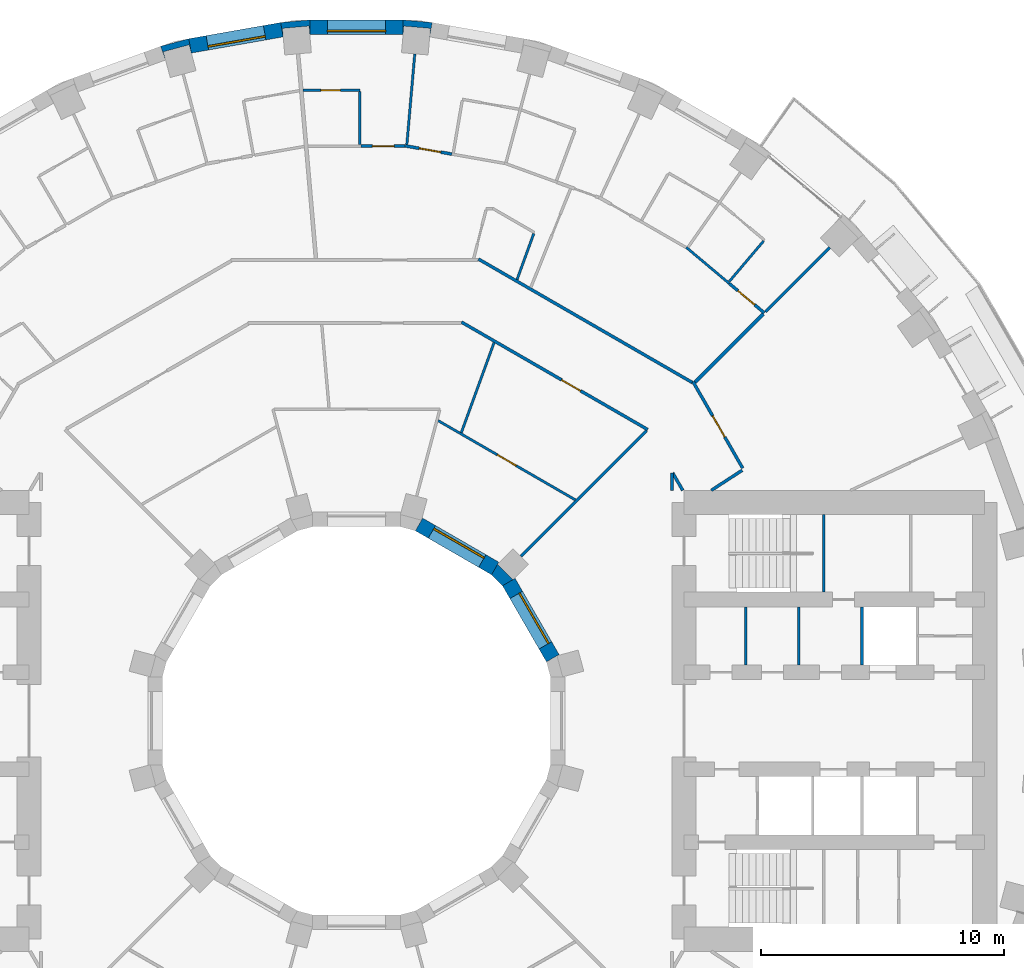
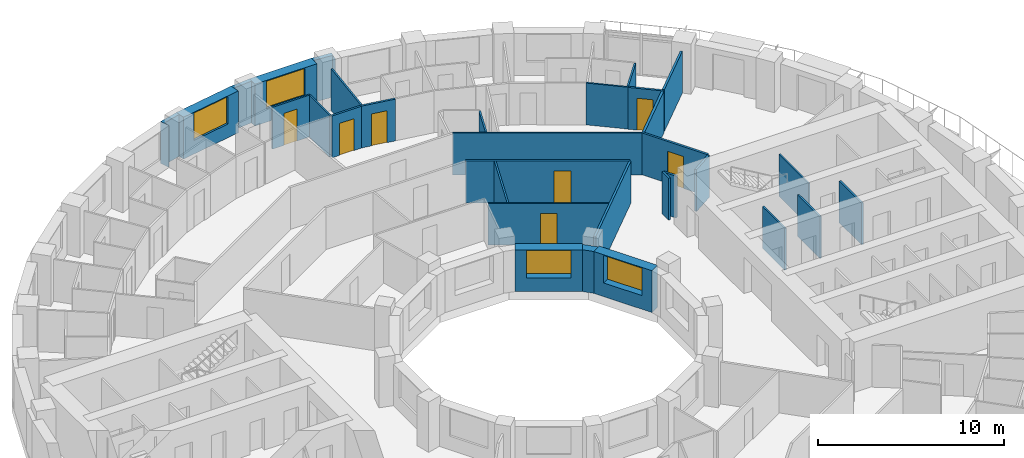
# One storey, part 12 of 15: 32 walls, 7 doors, 4 windows, 11 openings.
"""IFC4 building model written with IfcOpenShell, lengths in metres."""

import ifcopenshell
import ifcopenshell.guid

model = None  # the IFC model being written
_history = None  # IfcOwnerHistory: only IFC2X3 demands one
_inside = {}  # id of a spatial element -> (the spatial element, [elements in it])
_under = {}  # id of a project, library or spatial element -> (it, [spatial elements below it])
_declared = {}  # id of a project -> (the project, [libraries it declares])
_typed = {}  # id of a type object -> (the type object, [elements of that type])
_made_of = {}  # id of a material, layer set ... -> (it, [elements and type objects made of it])


def new_model(schema):
    """Start an empty IFC model of exactly this schema.

    Asked for "IFC4X3", IfcOpenShell would pick the latest addendum, in which some entities
    have other attributes; the version numbers below select the first issue.
    IFC2X3 requires an IfcOwnerHistory on every rooted entity: one is made here for all.
    """
    global model, _history
    if schema == "IFC4X3":
        model = ifcopenshell.file(schema_version=(4, 3, 0, 0))
    else:
        model = ifcopenshell.file(schema=schema)
    _inside.clear()
    _under.clear()
    _declared.clear()
    _typed.clear()
    _made_of.clear()
    _history = None
    if model.schema == "IFC2X3":
        org = make("IfcOrganization", Name="unknown")
        user = make(
            "IfcPersonAndOrganization",
            ThePerson=make("IfcPerson", FamilyName="unknown"),
            TheOrganization=org,
        )
        app = make(
            "IfcApplication",
            ApplicationDeveloper=org,
            Version="unknown",
            ApplicationFullName="unknown",
            ApplicationIdentifier="unknown",
        )
        _history = make(
            "IfcOwnerHistory",
            OwningUser=user,
            OwningApplication=app,
            ChangeAction="ADDED",
            CreationDate=0,
        )
    return model


def make(cls, **values):
    """One entity of the class cls with the attributes given. An attribute that is None is left unset."""
    return model.create_entity(
        cls, **{name: value for name, value in values.items() if value is not None}
    )


def rooted(cls, **values):
    """An entity with a GlobalId (a new one), such as an element, a storey or a relation."""
    return make(cls, GlobalId=ifcopenshell.guid.new(), OwnerHistory=_history, **values)


def si_unit(unit_type, name, prefix=None):
    """IfcSIUnit, for example si_unit("LENGTHUNIT", "METRE", prefix="MILLI")."""
    return make("IfcSIUnit", UnitType=unit_type, Prefix=prefix, Name=name)


def assignment(units):
    """IfcUnitAssignment: the units of a project."""
    return None if units is None else make("IfcUnitAssignment", Units=units)


def point(xyz):
    """IfcCartesianPoint."""
    return None if xyz is None else make("IfcCartesianPoint", Coordinates=xyz)


def direction(xyz):
    """IfcDirection."""
    return None if xyz is None else make("IfcDirection", DirectionRatios=xyz)


def frame(location, z_axis=None, x_axis=None):
    """IfcAxis2Placement3D, a coordinate frame: its origin and axes. An axis left out is left unset."""
    return make(
        "IfcAxis2Placement3D",
        Location=point(location),
        Axis=direction(z_axis),
        RefDirection=direction(x_axis),
    )


def frame_2d(location, x_axis=None):
    """IfcAxis2Placement2D, a coordinate frame in the plane: its origin and x axis."""
    return make(
        "IfcAxis2Placement2D", Location=point(location), RefDirection=direction(x_axis)
    )


def origin():
    """The frame at (0, 0, 0) with its axes left unset."""
    return frame((0.0, 0.0, 0.0))


def place(relative_to, where):
    """IfcLocalPlacement: puts the frame where relative to a parent placement (None: the world)."""
    return make(
        "IfcLocalPlacement", PlacementRelTo=relative_to, RelativePlacement=where
    )


def context(
    kind, dimensions, precision=None, world=None, true_north=None, identifier=None
):
    """IfcGeometricRepresentationContext, for example the 3D "Model" context."""
    return make(
        "IfcGeometricRepresentationContext",
        ContextIdentifier=identifier,
        ContextType=kind,
        CoordinateSpaceDimension=dimensions,
        Precision=precision,
        WorldCoordinateSystem=world,
        TrueNorth=true_north,
    )


def subcontext(parent, identifier, kind, view, scale=None):
    """IfcGeometricRepresentationSubContext, for example "Body" below "Model"."""
    return make(
        "IfcGeometricRepresentationSubContext",
        ContextIdentifier=identifier,
        ContextType=kind,
        ParentContext=parent,
        TargetScale=scale,
        TargetView=view,
    )


def project(units=None, contexts=None):
    """IfcProject with its units and contexts."""
    return rooted(
        "IfcProject",
        Name="project",
        RepresentationContexts=contexts,
        UnitsInContext=assignment(units),
    )


def spatial(cls, under=None, at=None, **own):
    """A site, building, storey or space (cls), placed at a placement, below another one or the project."""
    s = rooted(cls, ObjectPlacement=at, **own)
    if under is not None:
        _under.setdefault(under.id(), (under, []))[1].append(s)
    return s


def polyline(points):
    """IfcPolyline through the points."""
    return make("IfcPolyline", Points=[point(p) for p in points])


def profile(cls, at=None, kind="AREA", **sizes):
    """A parametric profile (cls). Its sizes go by their IFC names, for example OverallWidth=200.0."""
    return make(cls, ProfileType=kind, Position=at, **sizes)


def rectangle(**sizes):
    """IfcRectangleProfileDef."""
    return profile("IfcRectangleProfileDef", **sizes)


def outline(outer, holes=None, kind="AREA"):
    """IfcArbitraryClosedProfileDef: a profile drawn as a closed curve; with holes, ...WithVoids."""
    if holes is None:
        return make("IfcArbitraryClosedProfileDef", ProfileType=kind, OuterCurve=outer)
    return make(
        "IfcArbitraryProfileDefWithVoids",
        ProfileType=kind,
        OuterCurve=outer,
        InnerCurves=holes,
    )


def extrude(swept, where, along, depth):
    """IfcExtrudedAreaSolid: the profile swept, set in the frame where, extruded along a direction by depth."""
    return make(
        "IfcExtrudedAreaSolid",
        SweptArea=swept,
        Position=where,
        ExtrudedDirection=direction(along),
        Depth=depth,
    )


def shape(context_of_items, identifier, shape_type, items):
    """IfcShapeRepresentation: the items that make up one representation, for example the "Body"."""
    return make(
        "IfcShapeRepresentation",
        ContextOfItems=context_of_items,
        RepresentationIdentifier=identifier,
        RepresentationType=shape_type,
        Items=items,
    )


def material(Name=None, Category=None):
    """IfcMaterial."""
    return make("IfcMaterial", Name=Name, Category=Category)


def layer(
    of_material, thickness, ventilated=None, Name=None, Category=None, Priority=None
):
    """IfcMaterialLayer: one layer of a wall or slab, of a material (None: an air gap)."""
    return make(
        "IfcMaterialLayer",
        Material=of_material,
        LayerThickness=thickness,
        IsVentilated=ventilated,
        Name=Name,
        Category=Category,
        Priority=Priority,
    )


def layer_set(layers, Name=None):
    """IfcMaterialLayerSet."""
    return make("IfcMaterialLayerSet", MaterialLayers=layers, LayerSetName=Name)


def made_of(thing, what):
    """Note that an element or type object is made of a material, layer set ...; save() writes the relation."""
    if what is not None:
        _made_of.setdefault(what.id(), (what, []))[1].append(thing)
    return thing


def type_object(cls, material=None, **own):
    """A type object (cls), such as IfcWallType, which elements share."""
    return made_of(rooted(cls, **own), material)


def element(
    cls,
    number,
    at=None,
    inside=None,
    cuts=None,
    type_object=None,
    material=None,
    context=None,
    identifier="Body",
    shape_type=None,
    held_by="IfcProductDefinitionShape",
    body=None,
    shapes=None,
    **own,
):
    """One element of the class cls, such as IfcWall. Its Tag is "e" and its number.

    at: its placement. inside: the storey or other place that contains it. cuts: it is an
    opening in that element (IfcRelVoidsElement). A single representation is given by context,
    identifier, shape_type and body (its items); several are given by shapes. held_by: the class
    of the entity that holds the representations. save() writes the other relations.
    """
    e = rooted(cls, Tag="e%d" % number, ObjectPlacement=at, **own)
    if body is not None:
        shapes = [shape(context, identifier, shape_type, body)]
    if shapes is not None:
        e.Representation = make(held_by, Representations=shapes)
    if inside is not None:
        _inside.setdefault(inside.id(), (inside, []))[1].append(e)
    if cuts is not None:
        rooted(
            "IfcRelVoidsElement", RelatingBuildingElement=cuts, RelatedOpeningElement=e
        )
    if type_object is not None:
        _typed.setdefault(type_object.id(), (type_object, []))[1].append(e)
    return made_of(e, material)


def fill(opening, filler):
    """IfcRelFillsElement: the door or window that sits in an opening."""
    return rooted(
        "IfcRelFillsElement",
        RelatingOpeningElement=opening,
        RelatedBuildingElement=filler,
    )


def aggregate(whole, parts):
    """IfcRelAggregates: a whole, such as a stair, and the parts it consists of."""
    return rooted("IfcRelAggregates", RelatingObject=whole, RelatedObjects=parts)


def save(model, path):
    """Write the relations noted so far, then the file.

    IfcRelAggregates (storeys below a building ...), IfcRelContainedInSpatialStructure (elements
    in a storey), IfcRelDefinesByType, IfcRelAssociatesMaterial and IfcRelDeclares: one each for
    every whole, place, type object, material and project.
    """
    for whole, parts in _under.values():
        aggregate(whole, parts)
    for where, things in _inside.values():
        rooted(
            "IfcRelContainedInSpatialStructure",
            RelatedElements=things,
            RelatingStructure=where,
        )
    for kind, things in _typed.values():
        rooted("IfcRelDefinesByType", RelatedObjects=things, RelatingType=kind)
    for what, things in _made_of.values():
        rooted("IfcRelAssociatesMaterial", RelatedObjects=things, RelatingMaterial=what)
    for by, libraries in _declared.values():
        rooted("IfcRelDeclares", RelatingContext=by, RelatedDefinitions=libraries)
    model.write(path)


model = new_model("IFC4")

# Units and contexts
model_context = context("Model", 3, precision=1e-05, world=origin(), true_north=direction((0.0, 1.0)))
body_context = subcontext(model_context, "Body", "Model", "MODEL_VIEW")
ifc_project = project(units=[si_unit("LENGTHUNIT", "METRE"), si_unit("AREAUNIT", "SQUARE_METRE"), si_unit("VOLUMEUNIT", "CUBIC_METRE"), si_unit("PLANEANGLEUNIT", "RADIAN"), si_unit("MASSUNIT", "GRAM", prefix="KILO")], contexts=[model_context])

# Site, building, storey
site_placement = place(None, origin())
site = spatial("IfcSite", under=ifc_project, at=site_placement, CompositionType="ELEMENT")
building_placement = place(site_placement, origin())
building = spatial("IfcBuilding", under=site, at=building_placement, Name="Saqina Gate Tower", CompositionType="ELEMENT")
storey_placement = place(building_placement, frame((0.0, 0.0, 59.300048828125)))
storey = spatial("IfcBuildingStorey", under=building, at=storey_placement, Name="L16", CompositionType="ELEMENT", Elevation=59.300048828125)

# Walls
ifc_material_1 = material(Name="Brick masonry (red)", Category="masonry")
wall_type_1 = type_object("IfcWallType", Name="BRICK PIER COPING RED", PredefinedType="SOLIDWALL", material=ifc_material_1)
wall_1_placement = place(storey_placement, origin())
element("IfcWall", 1, at=wall_1_placement, inside=storey, type_object=wall_type_1, Name="Pier cap L16 column 9", PredefinedType="SOLIDWALL", context=body_context, shape_type="SweptSolid", body=[
    extrude(outline(polyline([(3.122802734375, 28.78466796875), (1.9228515625, 28.8896484375), (1.9228515625, 28.28955078125), (1.95361328125, 28.638671875), (3.04931640625, 28.54296875), (3.018798828125, 28.19384765625), (3.122802734375, 28.78466796875)])), origin(), (0.0, 0.0, 1.0), 2.75),
])
wall_2_placement = place(storey_placement, origin())
element("IfcWall", 2, at=wall_2_placement, inside=storey, type_object=wall_type_1, Name="Pier cap L16 column 10", PredefinedType="SOLIDWALL", context=body_context, shape_type="SweptSolid", body=[
    extrude(outline(polyline([(-1.9228515625, 28.8896484375), (-3.122802734375, 28.78466796875), (-3.018798828125, 28.19384765625), (-3.04931640625, 28.54296875), (-1.95361328125, 28.638671875), (-1.9228515625, 28.28955078125), (-1.9228515625, 28.8896484375)])), origin(), (0.0, 0.0, 1.0), 2.75),
])
wall_3_placement = place(storey_placement, origin())
element("IfcWall", 3, at=wall_3_placement, inside=storey, type_object=wall_type_1, Name="Pier cap L16 column 11", PredefinedType="SOLIDWALL", context=body_context, shape_type="SweptSolid", body=[
    extrude(outline(polyline([(-6.910400390625, 28.11669921875), (-8.073974609375, 27.80517578125), (-7.86865234375, 27.2412109375), (-7.95947265625, 27.57958984375), (-6.896728515625, 27.864501953125), (-6.80615234375, 27.52587890625), (-6.910400390625, 28.11669921875)])), origin(), (0.0, 0.0, 1.0), 2.75),
])
ifc_material_2 = material(Name="Gypsum board on steel studs", Category="steel")
ifc_layer_1 = layer(ifc_material_2, 0.10009765625)
ifc_layer_set_1 = layer_set([ifc_layer_1], Name="CORE PARTITION")
wall_type_2 = type_object("IfcWallType", Name="CORE PARTITION", PredefinedType="PARTITIONING", material=ifc_layer_set_1)
for number, where, z_axis, x_axis, name in (
    (4, (16.052001953125, 2.300048828125, 0.0), (0.0, 0.0, 1.0), (0.0, 1.0, 0.0), "L16-CP-E01"),
    (5, (18.24072265625, 2.300048828125, 0.0), (0.0, 0.0, 1.0), (0.0, 1.0, 0.0), "L16-CP-E02"),
):
    element("IfcWall", number, at=place(storey_placement, frame(where, z_axis=z_axis, x_axis=x_axis)), inside=storey, type_object=wall_type_2, Name=name, PredefinedType="PARTITIONING", context=body_context, shape_type="SweptSolid", body=[
        extrude(rectangle(XDim=2.39990234375, YDim=0.10009765625, at=frame_2d((1.199951171875, 0.0))), origin(), (0.0, 0.0, 1.0), 2.75),
    ])

# Wall, opening, window
ifc_material_3 = material(Name="Brick masonry (red)", Category="masonry")
ifc_layer_2 = layer(ifc_material_3, 0.60009765625)
ifc_layer_set_2 = layer_set([ifc_layer_2], Name="FW-BRICK-RED")
wall_type_3 = type_object("IfcWallType", Name="FW-BRICK-RED", PredefinedType="SOLIDWALL", material=ifc_layer_set_2)
wall_4_placement = place(storey_placement, frame((1.9228515625, 28.589599609375, 0.0), z_axis=(0.0, 0.0, 1.0), x_axis=(-1.0, 0.0, 0.0)))
wall_4 = element("IfcWall", 6, at=wall_4_placement, inside=storey, type_object=wall_type_3, Name="Facade wall L16 facet 9", PredefinedType="SOLIDWALL", context=body_context, shape_type="SweptSolid", body=[
    extrude(rectangle(XDim=3.845703125, YDim=0.60009765625, at=frame_2d((1.9228515625, 0.0))), origin(), (0.0, 0.0, 1.0), 2.75),
])
opening_1_placement = place(wall_4_placement, frame((0.722900390625, 0.0, 0.89990234375)))
opening_1 = element("IfcOpeningElement", 7, at=opening_1_placement, cuts=wall_4, Name="Opening G04-W04", PredefinedType="OPENING", context=body_context, shape_type="SweptSolid", body=[
    extrude(rectangle(XDim=2.39990234375, YDim=1.800048828125, at=frame_2d((1.199951171875, 0.89990234375))), frame((0.0, 0.31201171875, 0.0), z_axis=(0.0, -1.0, 0.0), x_axis=(1.0, 0.0, 0.0)), (0.0, 0.0, 1.0), 0.6240234375),
])
ifc_material_4 = material(Name="Aluminium glazing", Category="aluminium")
window_type_1 = type_object("IfcWindowType", Name="WN-A", PartitioningType="SINGLE_PANEL", PredefinedType="WINDOW", material=ifc_material_4)
window_1_placement = place(opening_1_placement, origin())
window_1 = element("IfcWindow", 8, at=window_1_placement, inside=storey, type_object=window_type_1, Name="Window L16 facet 9", OverallHeight=1.800048828125, OverallWidth=2.39990234375, PartitioningType="SINGLE_PANEL", PredefinedType="WINDOW", context=body_context, shape_type="SweptSolid", body=[
    extrude(rectangle(XDim=2.39990234375, YDim=1.800048828125, at=frame_2d((1.199951171875, 0.89990234375))), frame((0.0, 0.179931640625, 0.0), z_axis=(0.0, -1.0, 0.0), x_axis=(1.0, 0.0, 0.0)), (0.0, 0.0, 1.0), 0.06005859375),
])
fill(opening_1, window_1)

wall_5_placement = place(storey_placement, frame((-3.07080078125, 28.4892578125, 0.0), z_axis=(0.0, 0.0, 1.0), x_axis=(-0.984800809218, -0.173687553279, 0.0)))
wall_5 = element("IfcWall", 9, at=wall_5_placement, inside=storey, type_object=wall_type_3, Name="Facade wall L16 facet 10", PredefinedType="SOLIDWALL", context=body_context, shape_type="SweptSolid", body=[
    extrude(rectangle(XDim=3.845703125, YDim=0.60009765625, at=frame_2d((1.9228515625, 0.0))), origin(), (0.0, 0.0, 1.0), 2.75),
])
opening_2_placement = place(wall_5_placement, frame((0.722900390625, 0.0, 0.89990234375)))
opening_2 = element("IfcOpeningElement", 10, at=opening_2_placement, cuts=wall_5, Name="Opening G04-W05", PredefinedType="OPENING", context=body_context, shape_type="SweptSolid", body=[
    extrude(rectangle(XDim=2.39990234375, YDim=1.800048828125, at=frame_2d((1.199951171875, 0.89990234375))), frame((0.0, 0.31201171875, 0.0), z_axis=(0.0, -1.0, 0.0), x_axis=(1.0, 0.0, 0.0)), (0.0, 0.0, 1.0), 0.6240234375),
])
window_2_placement = place(opening_2_placement, origin())
window_2 = element("IfcWindow", 11, at=window_2_placement, inside=storey, type_object=window_type_1, Name="Window L16 facet 10", OverallHeight=1.800048828125, OverallWidth=2.39990234375, PartitioningType="SINGLE_PANEL", PredefinedType="WINDOW", context=body_context, shape_type="SweptSolid", body=[
    extrude(rectangle(XDim=2.39990234375, YDim=1.800048828125, at=frame_2d((1.199951171875, 0.89990234375))), frame((0.0, 0.179931640625, 0.0), z_axis=(0.0, -1.0, 0.0), x_axis=(1.0, 0.0, 0.0)), (0.0, 0.0, 1.0), 0.06005859375),
])
fill(opening_2, window_2)

ifc_material_5 = material(Name="Glazed ceramic tile", Category="ceramic")
ifc_layer_3 = layer(ifc_material_5, 0.60009765625)
ifc_layer_set_3 = layer_set([ifc_layer_3], Name="IW-TILE")
wall_type_4 = type_object("IfcWallType", Name="IW-TILE", PredefinedType="SOLIDWALL", material=ifc_layer_set_3)
wall_6_placement = place(storey_placement, frame((8.09423828125, 2.580322265625, 0.0), z_axis=(0.0, 0.0, 1.0), x_axis=(-0.499992569217, 0.866029693906, 0.0)))
wall_6 = element("IfcWall", 12, at=wall_6_placement, inside=storey, type_object=wall_type_4, Name="Well wall L16 facet 1", PredefinedType="SOLIDWALL", context=body_context, shape_type="SweptSolid", body=[
    extrude(rectangle(XDim=3.625, YDim=0.60009765625, at=frame_2d((1.8125, 0.0))), origin(), (0.0, 0.0, 1.0), 2.75),
])
opening_3_placement = place(wall_6_placement, frame((0.612548828125, 0.0, 0.89990234375)))
opening_3 = element("IfcOpeningElement", 13, at=opening_3_placement, cuts=wall_6, Name="Opening G04-W24", PredefinedType="OPENING", context=body_context, shape_type="SweptSolid", body=[
    extrude(rectangle(XDim=2.39990234375, YDim=1.800048828125, at=frame_2d((1.199951171875, 0.89990234375))), frame((0.0, 0.31201171875, 0.0), z_axis=(0.0, -1.0, 0.0), x_axis=(1.0, 0.0, 0.0)), (0.0, 0.0, 1.0), 0.6240234375),
])
ifc_material_6 = material(Name="Aluminium glazing", Category="aluminium")
window_type_2 = type_object("IfcWindowType", Name="WN-W", PartitioningType="SINGLE_PANEL", PredefinedType="WINDOW", material=ifc_material_6)
window_3_placement = place(opening_3_placement, origin())
window_3 = element("IfcWindow", 14, at=window_3_placement, inside=storey, type_object=window_type_2, Name="Well window L16 facet 1", OverallHeight=1.800048828125, OverallWidth=2.39990234375, PartitioningType="SINGLE_PANEL", PredefinedType="WINDOW", context=body_context, shape_type="SweptSolid", body=[
    extrude(rectangle(XDim=2.39990234375, YDim=1.800048828125, at=frame_2d((1.199951171875, 0.89990234375))), frame((0.0, -0.119873046875, 0.0), z_axis=(0.0, -1.0, 0.0), x_axis=(1.0, 0.0, 0.0)), (0.0, 0.0, 1.0), 0.06005859375),
])
fill(opening_3, window_3)

wall_7_placement = place(storey_placement, frame((5.7197265625, 6.28173828125, 0.0), z_axis=(0.0, 0.0, 1.0), x_axis=(-0.866029693906, 0.499992569217, 0.0)))
wall_7 = element("IfcWall", 15, at=wall_7_placement, inside=storey, type_object=wall_type_4, Name="Well wall L16 facet 2", PredefinedType="SOLIDWALL", context=body_context, shape_type="SweptSolid", body=[
    extrude(rectangle(XDim=3.625, YDim=0.60009765625, at=frame_2d((1.8125, 0.0))), origin(), (0.0, 0.0, 1.0), 2.75),
])
opening_4_placement = place(wall_7_placement, frame((0.612548828125, 0.0, 0.89990234375)))
opening_4 = element("IfcOpeningElement", 16, at=opening_4_placement, cuts=wall_7, Name="Opening G04-W25", PredefinedType="OPENING", context=body_context, shape_type="SweptSolid", body=[
    extrude(rectangle(XDim=2.39990234375, YDim=1.800048828125, at=frame_2d((1.199951171875, 0.89990234375))), frame((0.0, 0.31201171875, 0.0), z_axis=(0.0, -1.0, 0.0), x_axis=(1.0, 0.0, 0.0)), (0.0, 0.0, 1.0), 0.6240234375),
])
window_4_placement = place(opening_4_placement, origin())
window_4 = element("IfcWindow", 17, at=window_4_placement, inside=storey, type_object=window_type_2, Name="Well window L16 facet 2", OverallHeight=1.800048828125, OverallWidth=2.39990234375, PartitioningType="SINGLE_PANEL", PredefinedType="WINDOW", context=body_context, shape_type="SweptSolid", body=[
    extrude(rectangle(XDim=2.39990234375, YDim=1.800048828125, at=frame_2d((1.199951171875, 0.89990234375))), frame((0.0, -0.119873046875, 0.0), z_axis=(0.0, -1.0, 0.0), x_axis=(1.0, 0.0, 0.0)), (0.0, 0.0, 1.0), 0.06005859375),
])
fill(opening_4, window_4)

# Wall
ifc_material_7 = material(Name="Gypsum board on steel studs, 100 mm", Category="steel")
ifc_layer_4 = layer(ifc_material_7, 0.10009765625)
ifc_layer_set_4 = layer_set([ifc_layer_4], Name="PARTITION 100")
wall_type_5 = type_object("IfcWallType", Name="PARTITION 100", PredefinedType="PARTITIONING", material=ifc_layer_set_4)
wall_8_placement = place(storey_placement, frame((13.60107421875, 19.5126953125, 0.0), z_axis=(0.0, 0.0, 1.0), x_axis=(0.765838323525, -0.643033173499, 0.0)))
element("IfcWall", 18, at=wall_8_placement, inside=storey, type_object=wall_type_5, Name="PARTITION PW3-30", PredefinedType="PARTITIONING", context=body_context, shape_type="SweptSolid", body=[
    extrude(rectangle(XDim=2.30615234375, YDim=0.10009765625, at=frame_2d((1.153076171875, 0.0))), origin(), (0.0, 0.0, 1.0), 2.75),
])

# Wall, opening, door
wall_9_placement = place(storey_placement, frame((3.3662109375, 12.375, 0.0), z_axis=(0.0, 0.0, 1.0), x_axis=(0.86596399252, -0.500106352348, 0.0)))
wall_9 = element("IfcWall", 19, at=wall_9_placement, inside=storey, type_object=wall_type_5, Name="PARTITION PW3-41", PredefinedType="PARTITIONING", context=body_context, shape_type="SweptSolid", body=[
    extrude(rectangle(XDim=6.5322265625, YDim=0.10009765625, at=frame_2d((3.26611328125, 0.0))), origin(), (0.0, 0.0, 1.0), 2.75),
])
opening_5_placement = place(wall_9_placement, frame((2.822265625, 0.0, 0.0)))
opening_5 = element("IfcOpeningElement", 20, at=opening_5_placement, cuts=wall_9, Name="Opening G04-D07", PredefinedType="OPENING", context=body_context, shape_type="SweptSolid", body=[
    extrude(rectangle(XDim=0.89990234375, YDim=2.10009765625, at=frame_2d((0.449951171875, 1.050048828125))), frame((0.0, 0.06201171875, 0.0), z_axis=(0.0, -1.0, 0.0), x_axis=(1.0, 0.0, 0.0)), (0.0, 0.0, 1.0), 0.1240234375),
])
ifc_material_8 = material(Name="Timber door leaf, 900 mm", Category="wood")
door_type_1 = type_object("IfcDoorType", Name="DOOR 900 TIMBER", OperationType="SINGLE_SWING_LEFT", PredefinedType="DOOR", material=ifc_material_8)
door_1_placement = place(opening_5_placement, origin())
door_1 = element("IfcDoor", 21, at=door_1_placement, inside=storey, type_object=door_type_1, Name="DOOR G04-D07", OperationType="SINGLE_SWING_RIGHT", OverallHeight=2.10009765625, OverallWidth=0.89990234375, PredefinedType="DOOR", context=body_context, shape_type="SweptSolid", body=[
    extrude(rectangle(XDim=0.89990234375, YDim=2.10009765625, at=frame_2d((0.449951171875, 1.050048828125))), frame((0.0, 0.02490234375, 0.0), z_axis=(0.0, -1.0, 0.0), x_axis=(1.0, 0.0, 0.0)), (0.0, 0.0, 1.0), 0.050048828125),
])
fill(opening_5, door_1)

wall_10_placement = place(storey_placement, frame((-2.198974609375, 25.989990234375, 0.0), z_axis=(0.0, 0.0, 1.0), x_axis=(1.0, 0.0, 0.0)))
wall_10 = element("IfcWall", 22, at=wall_10_placement, inside=storey, type_object=wall_type_5, Name="PARTITION PW3-62", PredefinedType="PARTITIONING", context=body_context, shape_type="SweptSolid", body=[
    extrude(rectangle(XDim=2.344970703125, YDim=0.10009765625, at=frame_2d((1.17236328125, 0.0))), origin(), (0.0, 0.0, 1.0), 2.75),
])
opening_6_placement = place(wall_10_placement, frame((0.735107421875, 0.0, 0.0)))
opening_6 = element("IfcOpeningElement", 23, at=opening_6_placement, cuts=wall_10, Name="Opening G04-D19", PredefinedType="OPENING", context=body_context, shape_type="SweptSolid", body=[
    extrude(rectangle(XDim=0.800048828125, YDim=2.10009765625, at=frame_2d((0.39990234375, 1.050048828125))), frame((0.0, 0.06201171875, 0.0), z_axis=(0.0, -1.0, 0.0), x_axis=(1.0, 0.0, 0.0)), (0.0, 0.0, 1.0), 0.1240234375),
])
ifc_material_9 = material(Name="Timber door leaf, 800 mm", Category="wood")
door_type_2 = type_object("IfcDoorType", Name="DOOR 800 TIMBER", OperationType="SINGLE_SWING_LEFT", PredefinedType="DOOR", material=ifc_material_9)
door_2_placement = place(opening_6_placement, origin())
door_2 = element("IfcDoor", 24, at=door_2_placement, inside=storey, type_object=door_type_2, Name="DOOR G04-D19", OperationType="SINGLE_SWING_LEFT", OverallHeight=2.10009765625, OverallWidth=0.800048828125, PredefinedType="DOOR", context=body_context, shape_type="SweptSolid", body=[
    extrude(rectangle(XDim=0.800048828125, YDim=2.10009765625, at=frame_2d((0.39990234375, 1.050048828125))), frame((0.0, 0.02490234375, 0.0), z_axis=(0.0, -1.0, 0.0), x_axis=(1.0, 0.0, 0.0)), (0.0, 0.0, 1.0), 0.050048828125),
])
fill(opening_6, door_2)

# Walls
wall_11_placement = place(storey_placement, frame((15.369384765625, 18.109619140625, 0.0), z_axis=(0.0, 0.0, 1.0), x_axis=(0.646932224045, 0.762547505072, 0.0)))
element("IfcWall", 25, at=wall_11_placement, inside=storey, type_object=wall_type_5, Name="PARTITION PW3-84", PredefinedType="PARTITIONING", context=body_context, shape_type="SweptSolid", body=[
    extrude(rectangle(XDim=2.187744140625, YDim=0.10009765625, at=frame_2d((1.09375, 0.0))), origin(), (0.0, 0.0, 1.0), 2.75),
])
wall_12_placement = place(storey_placement, frame((4.32421875, 11.87890625, 0.0), z_axis=(0.0, 0.0, 1.0), x_axis=(0.341946576705, 0.939719393585, 0.0)))
element("IfcWall", 26, at=wall_12_placement, inside=storey, type_object=wall_type_5, Name="PARTITION PW3-101", PredefinedType="PARTITIONING", context=body_context, shape_type="SweptSolid", body=[
    extrude(rectangle(XDim=3.948974609375, YDim=0.10009765625, at=frame_2d((1.974609375, 0.0))), origin(), (0.0, 0.0, 1.0), 2.75),
])
wall_13_placement = place(storey_placement, frame((6.620361328125, 18.188720703125, 0.0), z_axis=(0.0, 0.0, 1.0), x_axis=(0.341976076059, 0.939708658789, 0.0)))
element("IfcWall", 27, at=wall_13_placement, inside=storey, type_object=wall_type_5, Name="PARTITION PW3-102", PredefinedType="PARTITIONING", context=body_context, shape_type="SweptSolid", body=[
    extrude(rectangle(XDim=2.01904296875, YDim=0.10009765625, at=frame_2d((1.009521484375, 0.0))), origin(), (0.0, 0.0, 1.0), 2.75),
])
wall_14_placement = place(storey_placement, frame((2.078369140625, 23.752197265625, 0.0), z_axis=(0.0, 0.0, 1.0), x_axis=(0.087045714137, 0.996204318225, 0.0)))
element("IfcWall", 28, at=wall_14_placement, inside=storey, type_object=wall_type_5, Name="PARTITION PW3-112", PredefinedType="PARTITIONING", context=body_context, shape_type="SweptSolid", body=[
    extrude(rectangle(XDim=3.7470703125, YDim=0.10009765625, at=frame_2d((1.87353515625, 0.0))), origin(), (0.0, 0.0, 1.0), 2.75),
])
wall_15_placement = place(storey_placement, frame((0.13330078125, 23.75244140625, 0.0), z_axis=(0.0, 0.0, 1.0), x_axis=(0.005691872083, 0.999983801165, 0.0)))
element("IfcWall", 29, at=wall_15_placement, inside=storey, type_object=wall_type_5, Name="PARTITION PW3-114", PredefinedType="PARTITIONING", context=body_context, shape_type="SweptSolid", body=[
    extrude(rectangle(XDim=2.1875, YDim=0.10009765625, at=frame_2d((1.09375, 0.0))), origin(), (0.0, 0.0, 1.0), 2.75),
])

# Wall, opening, door
ifc_material_10 = material(Name="Gypsum board on steel studs, 125 mm, fire rated", Category="steel")
ifc_layer_5 = layer(ifc_material_10, 0.125)
ifc_layer_set_5 = layer_set([ifc_layer_5], Name="PARTITION EI 30 125")
wall_type_6 = type_object("IfcWallType", Name="PARTITION EI 30 125", PredefinedType="PARTITIONING", material=ifc_layer_set_5)
wall_16_placement = place(storey_placement, frame((13.875732421875, 13.976318359375, 0.0), z_axis=(0.0, 0.0, 1.0), x_axis=(0.498306982451, -0.867000663921, 0.0)))
wall_16 = element("IfcWall", 30, at=wall_16_placement, inside=storey, type_object=wall_type_6, Name="PARTITION PW1-01", PredefinedType="PARTITIONING", context=body_context, shape_type="SweptSolid", body=[
    extrude(rectangle(XDim=4.108154296875, YDim=0.125, at=frame_2d((2.05419921875, 0.0))), origin(), (0.0, 0.0, 1.0), 2.75),
])
opening_7_placement = place(wall_16_placement, frame((1.622802734375, 0.0, 0.0)))
opening_7 = element("IfcOpeningElement", 31, at=opening_7_placement, cuts=wall_16, Name="Opening G04-D02", PredefinedType="OPENING", context=body_context, shape_type="SweptSolid", body=[
    extrude(rectangle(XDim=1.0, YDim=2.10009765625, at=frame_2d((0.5, 1.050048828125))), frame((0.0, 0.074462890625, 0.0), z_axis=(0.0, -1.0, 0.0), x_axis=(1.0, 0.0, 0.0)), (0.0, 0.0, 1.0), 0.14892578125),
])
ifc_material_11 = material(Name="Fire door leaf EI 30, 1000 mm")
door_type_3 = type_object("IfcDoorType", Name="DOOR 1000 EI 30", OperationType="SINGLE_SWING_LEFT", PredefinedType="DOOR", material=ifc_material_11)
door_3_placement = place(opening_7_placement, frame((1.0, 0.0, 0.0), z_axis=(0.0, 0.0, 1.0), x_axis=(-1.0, 0.0, 0.0)))
door_3 = element("IfcDoor", 32, at=door_3_placement, inside=storey, type_object=door_type_3, Name="DOOR G04-D02", OperationType="SINGLE_SWING_LEFT", OverallHeight=2.10009765625, OverallWidth=1.0, PredefinedType="DOOR", context=body_context, shape_type="SweptSolid", body=[
    extrude(rectangle(XDim=1.0, YDim=2.10009765625, at=frame_2d((0.5, 1.050048828125))), frame((0.0, 0.02490234375, 0.0), z_axis=(0.0, -1.0, 0.0), x_axis=(1.0, 0.0, 0.0)), (0.0, 0.0, 1.0), 0.050048828125),
])
fill(opening_7, door_3)

# Wall
wall_17_placement = place(storey_placement, frame((13.034912109375, 10.222412109375, 0.0), z_axis=(0.0, 0.0, 1.0), x_axis=(0.49991670217, -0.866073490468, 0.0)))
element("IfcWall", 33, at=wall_17_placement, inside=storey, type_object=wall_type_6, Name="PARTITION PW1-04", PredefinedType="PARTITIONING", context=body_context, shape_type="SweptSolid", body=[
    extrude(rectangle(XDim=0.834228515625, YDim=0.125, at=frame_2d((0.4169921875, 0.0))), origin(), (0.0, 0.0, 1.0), 2.75),
])

# Wall, opening, door
wall_18_placement = place(storey_placement, frame((15.3671875, 18.02978515625, 0.0), z_axis=(0.0, 0.0, 1.0), x_axis=(0.766035589551, -0.64279816081, 0.0)))
wall_18 = element("IfcWall", 34, at=wall_18_placement, inside=storey, type_object=wall_type_6, Name="PARTITION PW1-07", PredefinedType="PARTITIONING", context=body_context, shape_type="SweptSolid", body=[
    extrude(rectangle(XDim=1.889892578125, YDim=0.125, at=frame_2d((0.94482421875, 0.0))), origin(), (0.0, 0.0, 1.0), 2.75),
])
opening_8_placement = place(wall_18_placement, frame((0.469970703125, 0.0, 0.0)))
opening_8 = element("IfcOpeningElement", 35, at=opening_8_placement, cuts=wall_18, Name="Opening G04-D03", PredefinedType="OPENING", context=body_context, shape_type="SweptSolid", body=[
    extrude(rectangle(XDim=0.89990234375, YDim=2.10009765625, at=frame_2d((0.449951171875, 1.050048828125))), frame((0.0, 0.074462890625, 0.0), z_axis=(0.0, -1.0, 0.0), x_axis=(1.0, 0.0, 0.0)), (0.0, 0.0, 1.0), 0.14892578125),
])
ifc_material_12 = material(Name="Fire door leaf EI 30, 900 mm")
door_type_4 = type_object("IfcDoorType", Name="DOOR 900 EI 30", OperationType="SINGLE_SWING_LEFT", PredefinedType="DOOR", material=ifc_material_12)
door_4_placement = place(opening_8_placement, frame((0.89990234375, 0.0, 0.0), z_axis=(0.0, 0.0, 1.0), x_axis=(-1.0, 0.0, 0.0)))
door_4 = element("IfcDoor", 36, at=door_4_placement, inside=storey, type_object=door_type_4, Name="DOOR G04-D03", OperationType="SINGLE_SWING_LEFT", OverallHeight=2.10009765625, OverallWidth=0.89990234375, PredefinedType="DOOR", context=body_context, shape_type="SweptSolid", body=[
    extrude(rectangle(XDim=0.89990234375, YDim=2.10009765625, at=frame_2d((0.449951171875, 1.050048828125))), frame((0.0, 0.02490234375, 0.0), z_axis=(0.0, -1.0, 0.0), x_axis=(1.0, 0.0, 0.0)), (0.0, 0.0, 1.0), 0.050048828125),
])
fill(opening_8, door_4)

wall_19_placement = place(storey_placement, frame((4.33154296875, 16.43603515625, 0.0), z_axis=(0.0, 0.0, 1.0), x_axis=(0.866073188118, -0.499917225971, 0.0)))
wall_19 = element("IfcWall", 37, at=wall_19_placement, inside=storey, type_object=wall_type_6, Name="PARTITION PW1-12", PredefinedType="PARTITIONING", context=body_context, shape_type="SweptSolid", body=[
    extrude(rectangle(XDim=8.861328125, YDim=0.125, at=frame_2d((4.4306640625, 0.0))), origin(), (0.0, 0.0, 1.0), 2.75),
])
opening_9_placement = place(wall_19_placement, frame((4.768310546875, 0.0, 0.0)))
opening_9 = element("IfcOpeningElement", 38, at=opening_9_placement, cuts=wall_19, Name="Opening G04-D05", PredefinedType="OPENING", context=body_context, shape_type="SweptSolid", body=[
    extrude(rectangle(XDim=0.89990234375, YDim=2.10009765625, at=frame_2d((0.449951171875, 1.050048828125))), frame((0.0, 0.074462890625, 0.0), z_axis=(0.0, -1.0, 0.0), x_axis=(1.0, 0.0, 0.0)), (0.0, 0.0, 1.0), 0.14892578125),
])
door_5_placement = place(opening_9_placement, frame((0.89990234375, 0.0, 0.0), z_axis=(0.0, 0.0, 1.0), x_axis=(-1.0, 0.0, 0.0)))
door_5 = element("IfcDoor", 39, at=door_5_placement, inside=storey, type_object=door_type_4, Name="DOOR G04-D05", OperationType="SINGLE_SWING_LEFT", OverallHeight=2.10009765625, OverallWidth=0.89990234375, PredefinedType="DOOR", context=body_context, shape_type="SweptSolid", body=[
    extrude(rectangle(XDim=0.89990234375, YDim=2.10009765625, at=frame_2d((0.449951171875, 1.050048828125))), frame((0.0, 0.02490234375, 0.0), z_axis=(0.0, -1.0, 0.0), x_axis=(1.0, 0.0, 0.0)), (0.0, 0.0, 1.0), 0.050048828125),
])
fill(opening_9, door_5)

# Wall
wall_20_placement = place(storey_placement, frame((5.028564453125, 19.0361328125, 0.0), z_axis=(0.0, 0.0, 1.0), x_axis=(0.866024825845, -0.50000100102, 0.0)))
element("IfcWall", 40, at=wall_20_placement, inside=storey, type_object=wall_type_6, Name="PARTITION PW1-13", PredefinedType="PARTITIONING", context=body_context, shape_type="SweptSolid", body=[
    extrude(rectangle(XDim=10.19189453125, YDim=0.125, at=frame_2d((5.095947265625, 0.0))), origin(), (0.0, 0.0, 1.0), 2.75),
])

# Wall, opening, door
wall_21_placement = place(storey_placement, frame((2.010498046875, 23.700927734375, 0.0), z_axis=(0.0, 0.0, 1.0), x_axis=(0.984788592159, -0.173756809228, 0.0)))
wall_21 = element("IfcWall", 41, at=wall_21_placement, inside=storey, type_object=wall_type_6, Name="PARTITION PW1-20", PredefinedType="PARTITIONING", context=body_context, shape_type="SweptSolid", body=[
    extrude(rectangle(XDim=1.953125, YDim=0.125, at=frame_2d((0.9765625, 0.0))), origin(), (0.0, 0.0, 1.0), 2.75),
])
opening_10_placement = place(wall_21_placement, frame((0.583251953125, 0.0, 0.0)))
opening_10 = element("IfcOpeningElement", 42, at=opening_10_placement, cuts=wall_21, Name="Opening G04-D14", PredefinedType="OPENING", context=body_context, shape_type="SweptSolid", body=[
    extrude(rectangle(XDim=0.89990234375, YDim=2.10009765625, at=frame_2d((0.449951171875, 1.050048828125))), frame((0.0, 0.074462890625, 0.0), z_axis=(0.0, -1.0, 0.0), x_axis=(1.0, 0.0, 0.0)), (0.0, 0.0, 1.0), 0.14892578125),
])
door_6_placement = place(opening_10_placement, frame((0.89990234375, 0.0, 0.0), z_axis=(0.0, 0.0, 1.0), x_axis=(-1.0, 0.0, 0.0)))
door_6 = element("IfcDoor", 43, at=door_6_placement, inside=storey, type_object=door_type_4, Name="DOOR G04-D14", OperationType="SINGLE_SWING_RIGHT", OverallHeight=2.10009765625, OverallWidth=0.89990234375, PredefinedType="DOOR", context=body_context, shape_type="SweptSolid", body=[
    extrude(rectangle(XDim=0.89990234375, YDim=2.10009765625, at=frame_2d((0.449951171875, 1.050048828125))), frame((0.0, 0.02490234375, 0.0), z_axis=(0.0, -1.0, 0.0), x_axis=(1.0, 0.0, 0.0)), (0.0, 0.0, 1.0), 0.050048828125),
])
fill(opening_10, door_6)

wall_22_placement = place(storey_placement, frame((0.18310546875, 23.68994140625, 0.0), z_axis=(0.0, 0.0, 1.0), x_axis=(1.0, 0.0, 0.0)))
wall_22 = element("IfcWall", 44, at=wall_22_placement, inside=storey, type_object=wall_type_6, Name="PARTITION PW1-26", PredefinedType="PARTITIONING", context=body_context, shape_type="SweptSolid", body=[
    extrude(rectangle(XDim=1.827392578125, YDim=0.125, at=frame_2d((0.91357421875, 0.0))), origin(), (0.0, 0.0, 1.0), 2.75),
])
opening_11_placement = place(wall_22_placement, frame((0.469970703125, 0.0, 0.0)))
opening_11 = element("IfcOpeningElement", 45, at=opening_11_placement, cuts=wall_22, Name="Opening G04-D17", PredefinedType="OPENING", context=body_context, shape_type="SweptSolid", body=[
    extrude(rectangle(XDim=0.89990234375, YDim=2.10009765625, at=frame_2d((0.449951171875, 1.050048828125))), frame((0.0, 0.074462890625, 0.0), z_axis=(0.0, -1.0, 0.0), x_axis=(1.0, 0.0, 0.0)), (0.0, 0.0, 1.0), 0.14892578125),
])
door_7_placement = place(opening_11_placement, frame((0.89990234375, 0.0, 0.0), z_axis=(0.0, 0.0, 1.0), x_axis=(-1.0, 0.0, 0.0)))
door_7 = element("IfcDoor", 46, at=door_7_placement, inside=storey, type_object=door_type_4, Name="DOOR G04-D17", OperationType="SINGLE_SWING_LEFT", OverallHeight=2.10009765625, OverallWidth=0.89990234375, PredefinedType="DOOR", context=body_context, shape_type="SweptSolid", body=[
    extrude(rectangle(XDim=0.89990234375, YDim=2.10009765625, at=frame_2d((0.449951171875, 1.050048828125))), frame((0.0, 0.02490234375, 0.0), z_axis=(0.0, -1.0, 0.0), x_axis=(1.0, 0.0, 0.0)), (0.0, 0.0, 1.0), 0.050048828125),
])
fill(opening_11, door_7)

# Walls
wall_23_placement = place(storey_placement, frame((14.62890625, 9.5, 0.0), z_axis=(0.0, 0.0, 1.0), x_axis=(0.83882853689, 0.544395706908, 0.0)))
element("IfcWall", 47, at=wall_23_placement, inside=storey, type_object=wall_type_6, Name="PARTITION PW1-38", PredefinedType="PARTITIONING", context=body_context, shape_type="SweptSolid", body=[
    extrude(rectangle(XDim=1.520751953125, YDim=0.125, at=frame_2d((0.76025390625, 0.0))), origin(), (0.0, 0.0, 1.0), 2.75),
])
wall_24_placement = place(storey_placement, frame((6.78271484375, 6.78271484375, 0.0), z_axis=(0.0, 0.0, 1.0), x_axis=(0.707106781187, 0.707106781187, 0.0)))
element("IfcWall", 48, at=wall_24_placement, inside=storey, type_object=wall_type_6, Name="PARTITION PW1-42", PredefinedType="PARTITIONING", context=body_context, shape_type="SweptSolid", body=[
    extrude(rectangle(XDim=7.324462890625, YDim=0.125, at=frame_2d((3.662109375, 0.0))), origin(), (0.0, 0.0, 1.0), 2.75),
])
wall_25_placement = place(storey_placement, frame((16.859130859375, 16.859130859375, 0.0), z_axis=(0.0, 0.0, 1.0), x_axis=(0.707106781187, 0.707106781187, 0.0)))
element("IfcWall", 49, at=wall_25_placement, inside=storey, type_object=wall_type_6, Name="PARTITION PW1-43", PredefinedType="PARTITIONING", context=body_context, shape_type="SweptSolid", body=[
    extrude(rectangle(XDim=3.74755859375, YDim=0.125, at=frame_2d((1.873779296875, 0.0))), origin(), (0.0, 0.0, 1.0), 2.75),
])
wall_26_placement = place(storey_placement, frame((13.0, 9.5, 0.0), z_axis=(0.0, 0.0, 1.0), x_axis=(0.0, 1.0, 0.0)))
element("IfcWall", 50, at=wall_26_placement, inside=storey, type_object=wall_type_6, Name="PARTITION PW1-53", PredefinedType="PARTITIONING", context=body_context, shape_type="SweptSolid", body=[
    extrude(rectangle(XDim=0.720458984375, YDim=0.125, at=frame_2d((0.3603515625, 0.0))), origin(), (0.0, 0.0, 1.0), 2.75),
])
ifc_material_13 = material(Name="Gypsum board on steel studs, 150 mm, fire rated", Category="steel")
ifc_layer_6 = layer(ifc_material_13, 0.14990234375)
ifc_layer_set_6 = layer_set([ifc_layer_6], Name="PARTITION EI 60 150")
wall_type_7 = type_object("IfcWallType", Name="PARTITION EI 60 150", PredefinedType="PARTITIONING", material=ifc_layer_set_6)
wall_27_placement = place(storey_placement, frame((13.953125, 13.953125, 0.0), z_axis=(0.0, 0.0, 1.0), x_axis=(0.707106781187, 0.707106781187, 0.0)))
element("IfcWall", 51, at=wall_27_placement, inside=storey, type_object=wall_type_7, Name="PARTITION PW2-03", PredefinedType="PARTITIONING", context=body_context, shape_type="SweptSolid", body=[
    extrude(rectangle(XDim=3.984619140625, YDim=0.14990234375, at=frame_2d((1.9921875, 0.0))), origin(), (0.0, 0.0, 1.0), 2.75),
])
ifc_material_14 = material(Name="Autoclaved aerated concrete block", Category="concrete")
ifc_layer_7 = layer(ifc_material_14, 0.1201171875)
ifc_layer_set_7 = layer_set([ifc_layer_7], Name="SHAFT PARTITION")
wall_type_8 = type_object("IfcWallType", Name="SHAFT PARTITION", PredefinedType="PARTITIONING", material=ifc_layer_set_7)
wall_28_placement = place(storey_placement, frame((20.840087890625, 2.300048828125, 0.0), z_axis=(0.0, 0.0, 1.0), x_axis=(0.0, 1.0, 0.0)))
element("IfcWall", 52, at=wall_28_placement, inside=storey, type_object=wall_type_8, Name="L16-CP-E03", PredefinedType="PARTITIONING", context=body_context, shape_type="SweptSolid", body=[
    extrude(rectangle(XDim=2.39990234375, YDim=0.1201171875, at=frame_2d((1.199951171875, 0.0))), origin(), (0.0, 0.0, 1.0), 2.75),
])
ifc_material_15 = material(Name="Autoclaved aerated concrete block", Category="concrete")
ifc_layer_8 = layer(ifc_material_15, 0.10009765625)
ifc_layer_set_8 = layer_set([ifc_layer_8], Name="STAIR ENCLOSURE WALL")
wall_type_9 = type_object("IfcWallType", Name="STAIR ENCLOSURE WALL", PredefinedType="PARTITIONING", material=ifc_layer_set_8)
wall_29_placement = place(storey_placement, frame((19.27001953125, 5.300048828125, 0.0), z_axis=(0.0, 0.0, 1.0), x_axis=(0.0, 1.0, 0.0)))
element("IfcWall", 53, at=wall_29_placement, inside=storey, type_object=wall_type_9, Name="L16-CP-E10", PredefinedType="PARTITIONING", context=body_context, shape_type="SweptSolid", body=[
    extrude(rectangle(XDim=3.199951171875, YDim=0.10009765625, at=frame_2d((1.60009765625, 0.0))), origin(), (0.0, 0.0, 1.0), 2.75),
])
ifc_material_16 = material(Name="Glazed ceramic tile", Category="ceramic")
wall_type_10 = type_object("IfcWallType", Name="TILE PIER COPING", PredefinedType="SOLIDWALL", material=ifc_material_16)
wall_30_placement = place(storey_placement, origin())
element("IfcWall", 54, at=wall_30_placement, inside=storey, type_object=wall_type_10, Name="Well pier cap L16 column 2", PredefinedType="SOLIDWALL", context=body_context, shape_type="SweptSolid", body=[
    extrude(outline(polyline([(5.821044921875, 6.45751953125), (5.569580078125, 6.02197265625), (6.02197265625, 5.569580078125), (6.45751953125, 5.821044921875), (5.821044921875, 6.45751953125)])), origin(), (0.0, 0.0, 1.0), 2.75),
])

save(model, "model.ifc")
